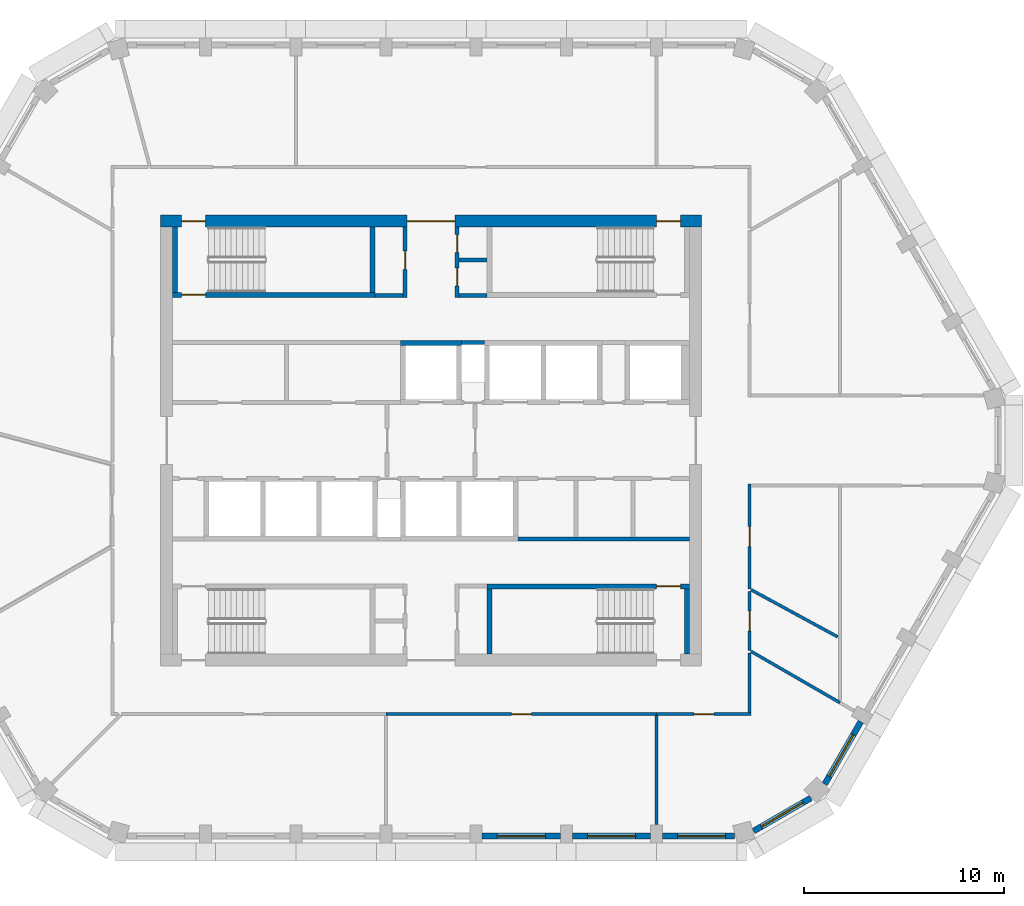
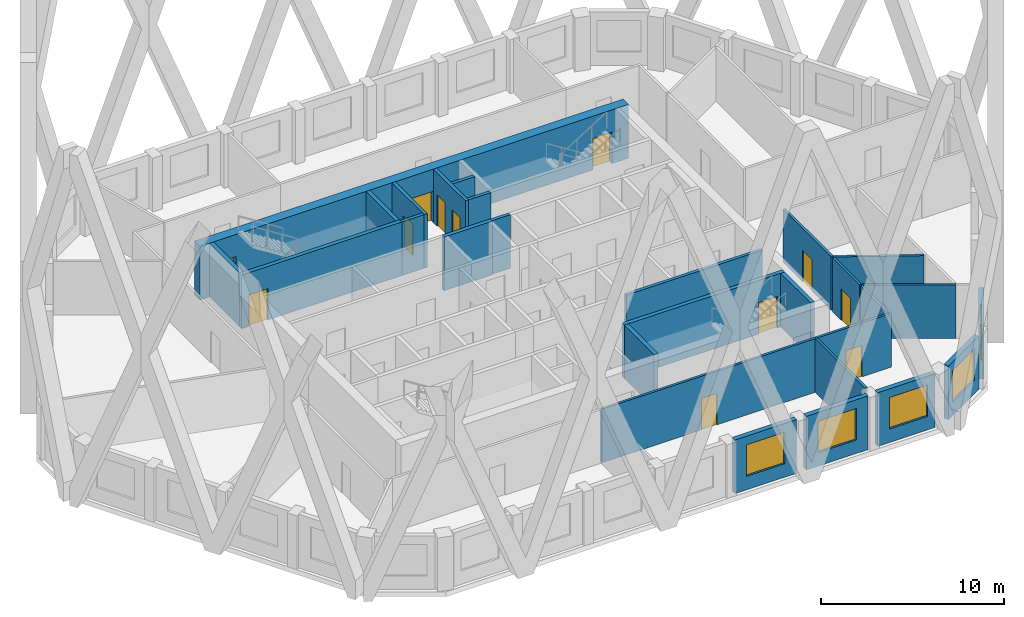
# One storey, part 4 of 14: 28 walls, 12 doors, 5 windows, 17 openings.
"""IFC4 building model written with IfcOpenShell, lengths in metres."""

from ifc_helpers import new_model, si_unit, direction, frame, frame_2d, origin, place, context, subcontext, project, spatial, polyline, rectangle, outline, extrude, material, layer, layer_set, type_object, element, fill, save


model = new_model("IFC4")

# Units and contexts
model_context = context("Model", 3, precision=1e-05, world=origin(), true_north=direction((0.0, 1.0)))
body_context = subcontext(model_context, "Body", "Model", "MODEL_VIEW")
ifc_project = project(units=[si_unit("LENGTHUNIT", "METRE"), si_unit("AREAUNIT", "SQUARE_METRE"), si_unit("VOLUMEUNIT", "CUBIC_METRE"), si_unit("PLANEANGLEUNIT", "RADIAN"), si_unit("MASSUNIT", "GRAM", prefix="KILO")], contexts=[model_context])

# Site, building, storey
site_placement = place(None, origin())
site = spatial("IfcSite", under=ifc_project, at=site_placement, CompositionType="ELEMENT")
building_placement = place(site_placement, origin())
building = spatial("IfcBuilding", under=site, at=building_placement, Name="Dhurran Vertical Campus", CompositionType="ELEMENT")
storey_placement = place(building_placement, frame((0.0, 0.0, 286.5)))
storey = spatial("IfcBuildingStorey", under=building, at=storey_placement, Name="L71", CompositionType="ELEMENT", Elevation=286.5)

# Wall, opening, window
ifc_material_1 = material(Name="Precast concrete C50/60", Category="concrete")
ifc_layer_1 = layer(ifc_material_1, 0.300048828125)
ifc_layer_set_1 = layer_set([ifc_layer_1], Name="Precast concrete C50/60")
wall_type_1 = type_object("IfcWallType", Name="Precast spandrel wall 300", PredefinedType="SOLIDWALL", material=ifc_layer_set_1)
wall_1_placement = place(storey_placement, frame((2.550537109375, -19.738525390625, 0.0), z_axis=(0.0, 0.0, 1.0), x_axis=(1.0, 0.0, 0.0)))
wall_1 = element("IfcWall", 1, at=wall_1_placement, inside=storey, type_object=wall_type_1, Name="EW1 L71.04", PredefinedType="SOLIDWALL", context=body_context, shape_type="SweptSolid", body=[
    extrude(rectangle(XDim=3.89892578125, YDim=0.300048828125, at=frame_2d((1.949462890625, 0.0))), origin(), (0.0, 0.0, 1.0), 3.574951171875),
])
opening_1_placement = place(wall_1_placement, frame((0.74951171875, 0.0, 0.89990234375)))
opening_1 = element("IfcOpeningElement", 2, at=opening_1_placement, cuts=wall_1, Name="Opening WT1", PredefinedType="OPENING", context=body_context, shape_type="SweptSolid", body=[
    extrude(rectangle(XDim=2.39990234375, YDim=2.10009765625, at=frame_2d((1.199951171875, 1.050048828125))), frame((0.0, 0.159912109375, 0.0), z_axis=(0.0, -1.0, 0.0), x_axis=(1.0, 0.0, 0.0)), (0.0, 0.0, 1.0), 0.320068359375),
])
ifc_material_2 = material(Name="Aluminium frame with solar-control glass", Category="aluminium")
window_type = type_object("IfcWindowType", Name="Punched window 2400 x 2100", PartitioningType="SINGLE_PANEL", PredefinedType="WINDOW", material=ifc_material_2)
window_1_placement = place(opening_1_placement, origin())
window_1 = element("IfcWindow", 3, at=window_1_placement, inside=storey, type_object=window_type, Name="WT1 L71.04", OverallHeight=2.10009765625, OverallWidth=2.39990234375, PartitioningType="SINGLE_PANEL", PredefinedType="WINDOW", context=body_context, shape_type="SweptSolid", body=[
    extrude(rectangle(XDim=2.39990234375, YDim=2.10009765625, at=frame_2d((1.199951171875, 1.050048828125))), frame((0.0, 0.030029296875, 0.0), z_axis=(0.0, -1.0, 0.0), x_axis=(1.0, 0.0, 0.0)), (0.0, 0.0, 1.0), 0.06005859375),
])
fill(opening_1, window_1)

wall_2_placement = place(storey_placement, frame((7.050537109375, -19.738525390625, 0.0), z_axis=(0.0, 0.0, 1.0), x_axis=(1.0, 0.0, 0.0)))
wall_2 = element("IfcWall", 4, at=wall_2_placement, inside=storey, type_object=wall_type_1, Name="EW1 L71.05", PredefinedType="SOLIDWALL", context=body_context, shape_type="SweptSolid", body=[
    extrude(rectangle(XDim=3.89892578125, YDim=0.300048828125, at=frame_2d((1.949462890625, 0.0))), origin(), (0.0, 0.0, 1.0), 3.574951171875),
])
opening_2_placement = place(wall_2_placement, frame((0.74951171875, 0.0, 0.89990234375)))
opening_2 = element("IfcOpeningElement", 5, at=opening_2_placement, cuts=wall_2, Name="Opening WT1", PredefinedType="OPENING", context=body_context, shape_type="SweptSolid", body=[
    extrude(rectangle(XDim=2.39990234375, YDim=2.10009765625, at=frame_2d((1.199951171875, 1.050048828125))), frame((0.0, 0.159912109375, 0.0), z_axis=(0.0, -1.0, 0.0), x_axis=(1.0, 0.0, 0.0)), (0.0, 0.0, 1.0), 0.320068359375),
])
window_2_placement = place(opening_2_placement, origin())
window_2 = element("IfcWindow", 6, at=window_2_placement, inside=storey, type_object=window_type, Name="WT1 L71.05", OverallHeight=2.10009765625, OverallWidth=2.39990234375, PartitioningType="SINGLE_PANEL", PredefinedType="WINDOW", context=body_context, shape_type="SweptSolid", body=[
    extrude(rectangle(XDim=2.39990234375, YDim=2.10009765625, at=frame_2d((1.199951171875, 1.050048828125))), frame((0.0, 0.030029296875, 0.0), z_axis=(0.0, -1.0, 0.0), x_axis=(1.0, 0.0, 0.0)), (0.0, 0.0, 1.0), 0.06005859375),
])
fill(opening_2, window_2)

wall_3_placement = place(storey_placement, frame((11.550537109375, -19.738525390625, 0.0), z_axis=(0.0, 0.0, 1.0), x_axis=(1.0, 0.0, 0.0)))
wall_3 = element("IfcWall", 7, at=wall_3_placement, inside=storey, type_object=wall_type_1, Name="EW1 L71.06", PredefinedType="SOLIDWALL", context=body_context, shape_type="SweptSolid", body=[
    extrude(rectangle(XDim=3.599365234375, YDim=0.300048828125, at=frame_2d((1.7998046875, 0.0))), origin(), (0.0, 0.0, 1.0), 3.574951171875),
])
opening_3_placement = place(wall_3_placement, frame((0.74951171875, 0.0, 0.89990234375)))
opening_3 = element("IfcOpeningElement", 8, at=opening_3_placement, cuts=wall_3, Name="Opening WT1", PredefinedType="OPENING", context=body_context, shape_type="SweptSolid", body=[
    extrude(rectangle(XDim=2.39990234375, YDim=2.10009765625, at=frame_2d((1.199951171875, 1.050048828125))), frame((0.0, 0.159912109375, 0.0), z_axis=(0.0, -1.0, 0.0), x_axis=(1.0, 0.0, 0.0)), (0.0, 0.0, 1.0), 0.320068359375),
])
window_3_placement = place(opening_3_placement, origin())
window_3 = element("IfcWindow", 9, at=window_3_placement, inside=storey, type_object=window_type, Name="WT1 L71.06", OverallHeight=2.10009765625, OverallWidth=2.39990234375, PartitioningType="SINGLE_PANEL", PredefinedType="WINDOW", context=body_context, shape_type="SweptSolid", body=[
    extrude(rectangle(XDim=2.39990234375, YDim=2.10009765625, at=frame_2d((1.199951171875, 1.050048828125))), frame((0.0, 0.030029296875, 0.0), z_axis=(0.0, -1.0, 0.0), x_axis=(1.0, 0.0, 0.0)), (0.0, 0.0, 1.0), 0.06005859375),
])
fill(opening_3, window_3)

wall_4_placement = place(storey_placement, frame((16.0947265625, -19.4853515625, 0.0), z_axis=(0.0, 0.0, 1.0), x_axis=(0.866021716278, 0.500006386895, 0.0)))
wall_4 = element("IfcWall", 10, at=wall_4_placement, inside=storey, type_object=wall_type_1, Name="EW1 L71.07", PredefinedType="SOLIDWALL", context=body_context, shape_type="SweptSolid", body=[
    extrude(rectangle(XDim=3.2998046875, YDim=0.300048828125, at=frame_2d((1.64990234375, 0.0))), origin(), (0.0, 0.0, 1.0), 3.574951171875),
])
opening_4_placement = place(wall_4_placement, frame((0.449951171875, 0.0, 0.89990234375)))
opening_4 = element("IfcOpeningElement", 11, at=opening_4_placement, cuts=wall_4, Name="Opening WT1", PredefinedType="OPENING", context=body_context, shape_type="SweptSolid", body=[
    extrude(rectangle(XDim=2.39990234375, YDim=2.10009765625, at=frame_2d((1.199951171875, 1.050048828125))), frame((0.0, 0.159912109375, 0.0), z_axis=(0.0, -1.0, 0.0), x_axis=(1.0, 0.0, 0.0)), (0.0, 0.0, 1.0), 0.320068359375),
])
window_4_placement = place(opening_4_placement, origin())
window_4 = element("IfcWindow", 12, at=window_4_placement, inside=storey, type_object=window_type, Name="WT1 L71.07", OverallHeight=2.10009765625, OverallWidth=2.39990234375, PartitioningType="SINGLE_PANEL", PredefinedType="WINDOW", context=body_context, shape_type="SweptSolid", body=[
    extrude(rectangle(XDim=2.39990234375, YDim=2.10009765625, at=frame_2d((1.199951171875, 1.050048828125))), frame((0.0, 0.030029296875, 0.0), z_axis=(0.0, -1.0, 0.0), x_axis=(1.0, 0.0, 0.0)), (0.0, 0.0, 1.0), 0.06005859375),
])
fill(opening_4, window_4)

wall_5_placement = place(storey_placement, frame((19.64404296875, -17.143798828125, 0.0), z_axis=(0.0, 0.0, 1.0), x_axis=(0.50001992892, 0.866013897511, 0.0)))
wall_5 = element("IfcWall", 13, at=wall_5_placement, inside=storey, type_object=wall_type_1, Name="EW1 L71.08", PredefinedType="SOLIDWALL", context=body_context, shape_type="SweptSolid", body=[
    extrude(rectangle(XDim=3.599365234375, YDim=0.300048828125, at=frame_2d((1.7998046875, 0.0))), origin(), (0.0, 0.0, 1.0), 3.574951171875),
])
opening_5_placement = place(wall_5_placement, frame((0.449951171875, 0.0, 0.89990234375)))
opening_5 = element("IfcOpeningElement", 14, at=opening_5_placement, cuts=wall_5, Name="Opening WT1", PredefinedType="OPENING", context=body_context, shape_type="SweptSolid", body=[
    extrude(rectangle(XDim=2.39990234375, YDim=2.10009765625, at=frame_2d((1.199951171875, 1.050048828125))), frame((0.0, 0.159912109375, 0.0), z_axis=(0.0, -1.0, 0.0), x_axis=(1.0, 0.0, 0.0)), (0.0, 0.0, 1.0), 0.320068359375),
])
window_5_placement = place(opening_5_placement, origin())
window_5 = element("IfcWindow", 15, at=window_5_placement, inside=storey, type_object=window_type, Name="WT1 L71.08", OverallHeight=2.10009765625, OverallWidth=2.39990234375, PartitioningType="SINGLE_PANEL", PredefinedType="WINDOW", context=body_context, shape_type="SweptSolid", body=[
    extrude(rectangle(XDim=2.39990234375, YDim=2.10009765625, at=frame_2d((1.199951171875, 1.050048828125))), frame((0.0, 0.030029296875, 0.0), z_axis=(0.0, -1.0, 0.0), x_axis=(1.0, 0.0, 0.0)), (0.0, 0.0, 1.0), 0.06005859375),
])
fill(opening_5, window_5)

# Wall, openings, doors
ifc_material_3 = material(Name="Concrete C50/60", Category="concrete")
ifc_layer_2 = layer(ifc_material_3, 0.60009765625)
ifc_layer_set_2 = layer_set([ifc_layer_2], Name="Concrete C50/60")
wall_type_2 = type_object("IfcWallType", Name="co-CORE-WALL-C2-600", PredefinedType="SHEAR", material=ifc_layer_set_2)
wall_6_placement = place(storey_placement, frame((-13.5, 10.949951171875, 0.0), z_axis=(0.0, 0.0, 1.0), x_axis=(1.0, 0.0, 0.0)))
wall_6 = element("IfcWall", 16, at=wall_6_placement, inside=storey, type_object=wall_type_2, Name="Core wall N L71", PredefinedType="SHEAR", context=body_context, shape_type="SweptSolid", body=[
    extrude(rectangle(XDim=27.0, YDim=0.60009765625, at=frame_2d((13.5, 0.0))), origin(), (0.0, 0.0, 1.0), 3.574951171875),
])
opening_6_placement = place(wall_6_placement, frame((12.300048828125, 0.0, 0.0)))
opening_6 = element("IfcOpeningElement", 17, at=opening_6_placement, cuts=wall_6, Name="Opening CV1", PredefinedType="OPENING", context=body_context, shape_type="SweptSolid", body=[
    extrude(rectangle(XDim=2.39990234375, YDim=2.10009765625, at=frame_2d((1.199951171875, 1.050048828125))), frame((0.0, 0.31005859375, 0.0), z_axis=(0.0, -1.0, 0.0), x_axis=(1.0, 0.0, 0.0)), (0.0, 0.0, 1.0), 0.6201171875),
])
opening_7_placement = place(wall_6_placement, frame((1.050048828125, 0.0, 0.0)))
opening_7 = element("IfcOpeningElement", 18, at=opening_7_placement, cuts=wall_6, Name="Opening XD1", PredefinedType="OPENING", context=body_context, shape_type="SweptSolid", body=[
    extrude(rectangle(XDim=1.199951171875, YDim=2.10009765625, at=frame_2d((0.60009765625, 1.050048828125))), frame((0.0, 0.31005859375, 0.0), z_axis=(0.0, -1.0, 0.0), x_axis=(1.0, 0.0, 0.0)), (0.0, 0.0, 1.0), 0.6201171875),
])
opening_8_placement = place(wall_6_placement, frame((24.75, 0.0, 0.0)))
opening_8 = element("IfcOpeningElement", 19, at=opening_8_placement, cuts=wall_6, Name="Opening XD2", PredefinedType="OPENING", context=body_context, shape_type="SweptSolid", body=[
    extrude(rectangle(XDim=1.199951171875, YDim=2.10009765625, at=frame_2d((0.60009765625, 1.050048828125))), frame((0.0, 0.31005859375, 0.0), z_axis=(0.0, -1.0, 0.0), x_axis=(1.0, 0.0, 0.0)), (0.0, 0.0, 1.0), 0.6201171875),
])
ifc_material_4 = material(Name="Fire-rated glazed door set")
door_type_1 = type_object("IfcDoorType", Name="co-D-LOBBY 2400x2100", OperationType="DOUBLE_DOOR_DOUBLE_SWING", PredefinedType="DOOR", material=ifc_material_4)
door_1_placement = place(opening_6_placement, origin())
door_1 = element("IfcDoor", 20, at=door_1_placement, inside=storey, type_object=door_type_1, Name="Core vestibule door N L71", OperationType="DOUBLE_DOOR_DOUBLE_SWING", OverallHeight=2.10009765625, OverallWidth=2.39990234375, PredefinedType="DOOR", context=body_context, shape_type="SweptSolid", body=[
    extrude(rectangle(XDim=2.39990234375, YDim=2.10009765625, at=frame_2d((1.199951171875, 1.050048828125))), frame((0.0, 0.02490234375, 0.0), z_axis=(0.0, -1.0, 0.0), x_axis=(1.0, 0.0, 0.0)), (0.0, 0.0, 1.0), 0.050048828125),
])
fill(opening_6, door_1)
ifc_material_5 = material(Name="Fire-rated steel door set", Category="steel")
door_type_2 = type_object("IfcDoorType", Name="co-D-STAIR-EXIT 1200x2100", OperationType="SINGLE_SWING_RIGHT", PredefinedType="DOOR", material=ifc_material_5)
door_2_placement = place(opening_7_placement, origin())
door_2 = element("IfcDoor", 21, at=door_2_placement, inside=storey, type_object=door_type_2, Name="Stair ST1 exit door L71", OperationType="SINGLE_SWING_RIGHT", OverallHeight=2.10009765625, OverallWidth=1.199951171875, PredefinedType="DOOR", context=body_context, shape_type="SweptSolid", body=[
    extrude(rectangle(XDim=1.199951171875, YDim=2.10009765625, at=frame_2d((0.60009765625, 1.050048828125))), frame((0.0, 0.02490234375, 0.0), z_axis=(0.0, -1.0, 0.0), x_axis=(1.0, 0.0, 0.0)), (0.0, 0.0, 1.0), 0.050048828125),
])
fill(opening_7, door_2)
door_3_placement = place(opening_8_placement, origin())
door_3 = element("IfcDoor", 22, at=door_3_placement, inside=storey, type_object=door_type_2, Name="Stair ST2 exit door L71", OperationType="SINGLE_SWING_RIGHT", OverallHeight=2.10009765625, OverallWidth=1.199951171875, PredefinedType="DOOR", context=body_context, shape_type="SweptSolid", body=[
    extrude(rectangle(XDim=1.199951171875, YDim=2.10009765625, at=frame_2d((0.60009765625, 1.050048828125))), frame((0.0, 0.02490234375, 0.0), z_axis=(0.0, -1.0, 0.0), x_axis=(1.0, 0.0, 0.0)), (0.0, 0.0, 1.0), 0.050048828125),
])
fill(opening_8, door_3)

# Walls
ifc_material_6 = material(Name="Fire-rated masonry blockwork", Category="masonry")
ifc_layer_3 = layer(ifc_material_6, 0.199951171875)
ifc_layer_set_3 = layer_set([ifc_layer_3], Name="Fire-rated masonry blockwork")
wall_type_3 = type_object("IfcWallType", Name="co-FIRE-PARTITION-200", PredefinedType="PARTITIONING", material=ifc_layer_set_3)
for number, where, z_axis, x_axis, name in (
    (23, (-2.800048828125, 7.25, 0.0), (0.0, 0.0, 1.0), (1.0, 0.0, 0.0), "Core partition sl-NW-S L71"),
    (24, (1.39990234375, 7.25, 0.0), (0.0, 0.0, 1.0), (1.0, 0.0, 0.0), "Core partition sl-NE-S L71"),
    (25, (1.39990234375, 9.0, 0.0), (0.0, 0.0, 1.0), (1.0, 0.0, 0.0), "Core partition sl-NE-cut0 L71"),
):
    element("IfcWall", number, at=place(storey_placement, frame(where, z_axis=z_axis, x_axis=x_axis)), inside=storey, type_object=wall_type_3, Name=name, PredefinedType="PARTITIONING", context=body_context, shape_type="SweptSolid", body=[
        extrude(rectangle(XDim=1.400146484375, YDim=0.199951171875, at=frame_2d((0.7001953125, 0.0))), origin(), (0.0, 0.0, 1.0), 3.574951171875),
    ])

# Wall, opening, door
wall_7_placement = place(storey_placement, frame((-1.300048828125, 7.14990234375, 0.0), z_axis=(0.0, 0.0, 1.0), x_axis=(0.0, 1.0, 0.0)))
wall_7 = element("IfcWall", 26, at=wall_7_placement, inside=storey, type_object=wall_type_3, Name="Core partition vest-NW L71", PredefinedType="PARTITIONING", context=body_context, shape_type="SweptSolid", body=[
    extrude(rectangle(XDim=3.5, YDim=0.199951171875, at=frame_2d((1.75, 0.0))), origin(), (0.0, 0.0, 1.0), 3.574951171875),
])
opening_9_placement = place(wall_7_placement, frame((1.39990234375, 0.0, 0.0)))
opening_9 = element("IfcOpeningElement", 27, at=opening_9_placement, cuts=wall_7, Name="Opening T21-C4", PredefinedType="OPENING", context=body_context, shape_type="SweptSolid", body=[
    extrude(rectangle(XDim=0.89990234375, YDim=2.10009765625, at=frame_2d((0.449951171875, 1.050048828125))), frame((0.0, 0.10986328125, 0.0), z_axis=(0.0, -1.0, 0.0), x_axis=(1.0, 0.0, 0.0)), (0.0, 0.0, 1.0), 0.219970703125),
])
ifc_material_7 = material(Name="Fire-rated timber door set", Category="wood")
door_type_3 = type_object("IfcDoorType", Name="co-D-ROOM 900x2100", OperationType="SINGLE_SWING_LEFT", PredefinedType="DOOR", material=ifc_material_7)
door_4_placement = place(opening_9_placement, origin())
door_4 = element("IfcDoor", 28, at=door_4_placement, inside=storey, type_object=door_type_3, Name="Plant room door L71", OperationType="SINGLE_SWING_LEFT", OverallHeight=2.10009765625, OverallWidth=0.89990234375, PredefinedType="DOOR", context=body_context, shape_type="SweptSolid", body=[
    extrude(rectangle(XDim=0.89990234375, YDim=2.10009765625, at=frame_2d((0.449951171875, 1.050048828125))), frame((0.0, 0.02490234375, 0.0), z_axis=(0.0, -1.0, 0.0), x_axis=(1.0, 0.0, 0.0)), (0.0, 0.0, 1.0), 0.050048828125),
])
fill(opening_9, door_4)

# Wall, openings, doors
wall_8_placement = place(storey_placement, frame((1.300048828125, 7.14990234375, 0.0), z_axis=(0.0, 0.0, 1.0), x_axis=(0.0, 1.0, 0.0)))
wall_8 = element("IfcWall", 29, at=wall_8_placement, inside=storey, type_object=wall_type_3, Name="Core partition vest-NE L71", PredefinedType="PARTITIONING", context=body_context, shape_type="SweptSolid", body=[
    extrude(rectangle(XDim=3.5, YDim=0.199951171875, at=frame_2d((1.75, 0.0))), origin(), (0.0, 0.0, 1.0), 3.574951171875),
])
opening_10_placement = place(wall_8_placement, frame((0.574951171875, 0.0, 0.0)))
opening_10 = element("IfcOpeningElement", 30, at=opening_10_placement, cuts=wall_8, Name="Opening T21-C5", PredefinedType="OPENING", context=body_context, shape_type="SweptSolid", body=[
    extrude(rectangle(XDim=0.89990234375, YDim=2.10009765625, at=frame_2d((0.449951171875, 1.050048828125))), frame((0.0, 0.10986328125, 0.0), z_axis=(0.0, -1.0, 0.0), x_axis=(1.0, 0.0, 0.0)), (0.0, 0.0, 1.0), 0.219970703125),
])
opening_11_placement = place(wall_8_placement, frame((2.22509765625, 0.0, 0.0)))
opening_11 = element("IfcOpeningElement", 31, at=opening_11_placement, cuts=wall_8, Name="Opening T21-C6", PredefinedType="OPENING", context=body_context, shape_type="SweptSolid", body=[
    extrude(rectangle(XDim=0.89990234375, YDim=2.10009765625, at=frame_2d((0.449951171875, 1.050048828125))), frame((0.0, 0.10986328125, 0.0), z_axis=(0.0, -1.0, 0.0), x_axis=(1.0, 0.0, 0.0)), (0.0, 0.0, 1.0), 0.219970703125),
])
door_5_placement = place(opening_10_placement, origin())
door_5 = element("IfcDoor", 32, at=door_5_placement, inside=storey, type_object=door_type_3, Name="Communications room door L71", OperationType="SINGLE_SWING_LEFT", OverallHeight=2.10009765625, OverallWidth=0.89990234375, PredefinedType="DOOR", context=body_context, shape_type="SweptSolid", body=[
    extrude(rectangle(XDim=0.89990234375, YDim=2.10009765625, at=frame_2d((0.449951171875, 1.050048828125))), frame((0.0, 0.02490234375, 0.0), z_axis=(0.0, -1.0, 0.0), x_axis=(1.0, 0.0, 0.0)), (0.0, 0.0, 1.0), 0.050048828125),
])
fill(opening_10, door_5)
door_6_placement = place(opening_11_placement, origin())
door_6 = element("IfcDoor", 33, at=door_6_placement, inside=storey, type_object=door_type_3, Name="Server room door L71", OperationType="SINGLE_SWING_LEFT", OverallHeight=2.10009765625, OverallWidth=0.89990234375, PredefinedType="DOOR", context=body_context, shape_type="SweptSolid", body=[
    extrude(rectangle(XDim=0.89990234375, YDim=2.10009765625, at=frame_2d((0.449951171875, 1.050048828125))), frame((0.0, 0.02490234375, 0.0), z_axis=(0.0, -1.0, 0.0), x_axis=(1.0, 0.0, 0.0)), (0.0, 0.0, 1.0), 0.050048828125),
])
fill(opening_11, door_6)

# Walls
wall_9_placement = place(storey_placement, frame((1.52490234375, 4.89990234375, 0.0), z_axis=(0.0, 0.0, 1.0), x_axis=(1.0, 0.0, 0.0)))
element("IfcWall", 34, at=wall_9_placement, inside=storey, type_object=wall_type_3, Name="Core partition fr-N1-b L71", PredefinedType="PARTITIONING", context=body_context, shape_type="SweptSolid", body=[
    extrude(rectangle(XDim=1.150146484375, YDim=0.199951171875, at=frame_2d((0.5751953125, 0.0))), origin(), (0.0, 0.0, 1.0), 3.574951171875),
])
wall_10_placement = place(storey_placement, frame((4.324951171875, -4.89990234375, 0.0), z_axis=(0.0, 0.0, 1.0), x_axis=(1.0, 0.0, 0.0)))
element("IfcWall", 35, at=wall_10_placement, inside=storey, type_object=wall_type_3, Name="Core partition fr-S2-b L71", PredefinedType="PARTITIONING", context=body_context, shape_type="SweptSolid", body=[
    extrude(rectangle(XDim=8.574951171875, YDim=0.199951171875, at=frame_2d((4.28759765625, 0.0))), origin(), (0.0, 0.0, 1.0), 3.574951171875),
])
ifc_material_8 = material(Name="Concrete C50/60", Category="concrete")
ifc_layer_4 = layer(ifc_material_8, 0.25)
ifc_layer_set_4 = layer_set([ifc_layer_4], Name="Concrete C50/60")
wall_type_4 = type_object("IfcWallType", Name="co-SHAFT-MASS-250", PredefinedType="SHEAR", material=ifc_layer_set_4)
wall_11_placement = place(storey_placement, origin())
element("IfcWall", 36, at=wall_11_placement, inside=storey, type_object=wall_type_4, Name="Lift shaft wall N L71 1", PredefinedType="SHEAR", context=body_context, shape_type="SweptSolid", body=[
    extrude(outline(polyline([(-1.52490234375, 4.75), (1.52490234375, 4.75), (1.52490234375, 5.0), (-1.52490234375, 5.0), (-1.52490234375, 4.75)])), origin(), (0.0, 0.0, 1.0), 3.574951171875),
])

# Wall, opening, door
ifc_material_9 = material(Name="Concrete C40/50", Category="concrete")
ifc_layer_5 = layer(ifc_material_9, 0.25)
ifc_layer_set_5 = layer_set([ifc_layer_5], Name="Concrete C40/50")
wall_type_5 = type_object("IfcWallType", Name="co-STAIR-WALL-250", PredefinedType="SHEAR", material=ifc_layer_set_5)
wall_12_placement = place(storey_placement, frame((-12.89990234375, 7.27490234375, 0.0), z_axis=(0.0, 0.0, 1.0), x_axis=(1.0, 0.0, 0.0)))
wall_12 = element("IfcWall", 37, at=wall_12_placement, inside=storey, type_object=wall_type_5, Name="Stair ST1 enclosure wall L71", PredefinedType="SHEAR", context=body_context, shape_type="SweptSolid", body=[
    extrude(rectangle(XDim=10.099853515625, YDim=0.25, at=frame_2d((5.0498046875, 0.0))), origin(), (0.0, 0.0, 1.0), 3.574951171875),
])
opening_12_placement = place(wall_12_placement, frame((0.449951171875, 0.0, 0.0)))
opening_12 = element("IfcOpeningElement", 38, at=opening_12_placement, cuts=wall_12, Name="Opening SD1", PredefinedType="OPENING", context=body_context, shape_type="SweptSolid", body=[
    extrude(rectangle(XDim=1.199951171875, YDim=2.10009765625, at=frame_2d((0.60009765625, 1.050048828125))), frame((0.0, 0.135009765625, 0.0), z_axis=(0.0, -1.0, 0.0), x_axis=(1.0, 0.0, 0.0)), (0.0, 0.0, 1.0), 0.27001953125),
])
ifc_material_10 = material(Name="Fire-rated steel door set", Category="steel")
door_type_4 = type_object("IfcDoorType", Name="co-D-STAIR 1200x2100", OperationType="SINGLE_SWING_LEFT", PredefinedType="DOOR", material=ifc_material_10)
door_7_placement = place(opening_12_placement, origin())
door_7 = element("IfcDoor", 39, at=door_7_placement, inside=storey, type_object=door_type_4, Name="Stair ST1 door L71", OperationType="SINGLE_SWING_LEFT", OverallHeight=2.10009765625, OverallWidth=1.199951171875, PredefinedType="DOOR", context=body_context, shape_type="SweptSolid", body=[
    extrude(rectangle(XDim=1.199951171875, YDim=2.10009765625, at=frame_2d((0.60009765625, 1.050048828125))), frame((0.0, 0.02490234375, 0.0), z_axis=(0.0, -1.0, 0.0), x_axis=(1.0, 0.0, 0.0)), (0.0, 0.0, 1.0), 0.050048828125),
])
fill(opening_12, door_7)

# Walls
for number, where, z_axis, x_axis, name in (
    (40, (-12.77490234375, 7.39990234375, 0.0), (0.0, 0.0, 1.0), (0.0, 1.0, 0.0), "Stair ST1 enclosure wall L71"),
    (41, (-2.925048828125, 7.39990234375, 0.0), (0.0, 0.0, 1.0), (0.0, 1.0, 0.0), "Stair ST1 enclosure wall L71"),
):
    element("IfcWall", number, at=place(storey_placement, frame(where, z_axis=z_axis, x_axis=x_axis)), inside=storey, type_object=wall_type_5, Name=name, PredefinedType="SHEAR", context=body_context, shape_type="SweptSolid", body=[
        extrude(rectangle(XDim=3.25, YDim=0.25, at=frame_2d((1.625, 0.0))), origin(), (0.0, 0.0, 1.0), 3.574951171875),
    ])

# Wall, opening, door
wall_13_placement = place(storey_placement, frame((2.800048828125, -7.27490234375, 0.0), z_axis=(0.0, 0.0, 1.0), x_axis=(1.0, 0.0, 0.0)))
wall_13 = element("IfcWall", 42, at=wall_13_placement, inside=storey, type_object=wall_type_5, Name="Stair ST4 enclosure wall L71", PredefinedType="SHEAR", context=body_context, shape_type="SweptSolid", body=[
    extrude(rectangle(XDim=10.099853515625, YDim=0.25, at=frame_2d((5.0498046875, 0.0))), origin(), (0.0, 0.0, 1.0), 3.574951171875),
])
opening_13_placement = place(wall_13_placement, frame((8.449951171875, 0.0, 0.0)))
opening_13 = element("IfcOpeningElement", 43, at=opening_13_placement, cuts=wall_13, Name="Opening SD4", PredefinedType="OPENING", context=body_context, shape_type="SweptSolid", body=[
    extrude(rectangle(XDim=1.199951171875, YDim=2.10009765625, at=frame_2d((0.60009765625, 1.050048828125))), frame((0.0, 0.135009765625, 0.0), z_axis=(0.0, -1.0, 0.0), x_axis=(1.0, 0.0, 0.0)), (0.0, 0.0, 1.0), 0.27001953125),
])
door_8_placement = place(opening_13_placement, origin())
door_8 = element("IfcDoor", 44, at=door_8_placement, inside=storey, type_object=door_type_4, Name="Stair ST4 door L71", OperationType="SINGLE_SWING_LEFT", OverallHeight=2.10009765625, OverallWidth=1.199951171875, PredefinedType="DOOR", context=body_context, shape_type="SweptSolid", body=[
    extrude(rectangle(XDim=1.199951171875, YDim=2.10009765625, at=frame_2d((0.60009765625, 1.050048828125))), frame((0.0, 0.02490234375, 0.0), z_axis=(0.0, -1.0, 0.0), x_axis=(1.0, 0.0, 0.0)), (0.0, 0.0, 1.0), 0.050048828125),
])
fill(opening_13, door_8)

# Walls
for number, where, z_axis, x_axis, name in (
    (45, (2.925048828125, -10.64990234375, 0.0), (0.0, 0.0, 1.0), (0.0, 1.0, 0.0), "Stair ST4 enclosure wall L71"),
    (46, (12.77490234375, -10.64990234375, 0.0), (0.0, 0.0, 1.0), (0.0, 1.0, 0.0), "Stair ST4 enclosure wall L71"),
):
    element("IfcWall", number, at=place(storey_placement, frame(where, z_axis=z_axis, x_axis=x_axis)), inside=storey, type_object=wall_type_5, Name=name, PredefinedType="SHEAR", context=body_context, shape_type="SweptSolid", body=[
        extrude(rectangle(XDim=3.25, YDim=0.25, at=frame_2d((1.625, 0.0))), origin(), (0.0, 0.0, 1.0), 3.574951171875),
    ])

# Wall, opening, door
ifc_material_11 = material(Name="Gypsum board corridor wall on steel studs", Category="steel")
ifc_layer_6 = layer(ifc_material_11, 0.14990234375)
ifc_layer_set_6 = layer_set([ifc_layer_6], Name="Gypsum board corridor wall on steel studs")
wall_type_6 = type_object("IfcWallType", Name="fl-CW-150 corridor wall", PredefinedType="PARTITIONING", material=ifc_layer_set_6)
wall_14_placement = place(storey_placement, frame((-2.25, -13.64990234375, 0.0), z_axis=(0.0, 0.0, 1.0), x_axis=(1.0, 0.0, 0.0)))
wall_14 = element("IfcWall", 47, at=wall_14_placement, inside=storey, type_object=wall_type_6, Name="Partition 71-17", PredefinedType="PARTITIONING", context=body_context, shape_type="SweptSolid", body=[
    extrude(rectangle(XDim=13.5, YDim=0.14990234375, at=frame_2d((6.75, 0.0))), origin(), (0.0, 0.0, 1.0), 3.574951171875),
])
opening_14_placement = place(wall_14_placement, frame((6.25, 0.0, 0.0)))
opening_14 = element("IfcOpeningElement", 48, at=opening_14_placement, cuts=wall_14, Name="Opening T21.08", PredefinedType="OPENING", context=body_context, shape_type="SweptSolid", body=[
    extrude(rectangle(XDim=1.0, YDim=2.10009765625, at=frame_2d((0.5, 1.050048828125))), frame((0.0, 0.0849609375, 0.0), z_axis=(0.0, -1.0, 0.0), x_axis=(1.0, 0.0, 0.0)), (0.0, 0.0, 1.0), 0.169921875),
])
ifc_material_12 = material(Name="Solid-core timber door set, fire-rated", Category="wood")
door_type_5 = type_object("IfcDoorType", Name="fl-D-1000x2100", OperationType="SINGLE_SWING_LEFT", PredefinedType="DOOR", material=ifc_material_12)
door_9_placement = place(opening_14_placement, origin())
door_9 = element("IfcDoor", 49, at=door_9_placement, inside=storey, type_object=door_type_5, Name="Door 71.08", OperationType="SINGLE_SWING_RIGHT", OverallHeight=2.10009765625, OverallWidth=1.0, PredefinedType="DOOR", context=body_context, shape_type="SweptSolid", body=[
    extrude(rectangle(XDim=1.0, YDim=2.10009765625, at=frame_2d((0.5, 1.050048828125))), frame((0.0, 0.02490234375, 0.0), z_axis=(0.0, -1.0, 0.0), x_axis=(1.0, 0.0, 0.0)), (0.0, 0.0, 1.0), 0.050048828125),
])
fill(opening_14, door_9)

wall_15_placement = place(storey_placement, frame((11.25, -13.64990234375, 0.0), z_axis=(0.0, 0.0, 1.0), x_axis=(1.0, 0.0, 0.0)))
wall_15 = element("IfcWall", 50, at=wall_15_placement, inside=storey, type_object=wall_type_6, Name="Partition 71-19", PredefinedType="PARTITIONING", context=body_context, shape_type="SweptSolid", body=[
    extrude(rectangle(XDim=4.72509765625, YDim=0.14990234375, at=frame_2d((2.362548828125, 0.0))), origin(), (0.0, 0.0, 1.0), 3.574951171875),
])
opening_15_placement = place(wall_15_placement, frame((1.862548828125, 0.0, 0.0)))
opening_15 = element("IfcOpeningElement", 51, at=opening_15_placement, cuts=wall_15, Name="Opening T21.09", PredefinedType="OPENING", context=body_context, shape_type="SweptSolid", body=[
    extrude(rectangle(XDim=1.0, YDim=2.10009765625, at=frame_2d((0.5, 1.050048828125))), frame((0.0, 0.0849609375, 0.0), z_axis=(0.0, -1.0, 0.0), x_axis=(1.0, 0.0, 0.0)), (0.0, 0.0, 1.0), 0.169921875),
])
door_10_placement = place(opening_15_placement, origin())
door_10 = element("IfcDoor", 52, at=door_10_placement, inside=storey, type_object=door_type_5, Name="Door 71.09", OperationType="SINGLE_SWING_LEFT", OverallHeight=2.10009765625, OverallWidth=1.0, PredefinedType="DOOR", context=body_context, shape_type="SweptSolid", body=[
    extrude(rectangle(XDim=1.0, YDim=2.10009765625, at=frame_2d((0.5, 1.050048828125))), frame((0.0, 0.02490234375, 0.0), z_axis=(0.0, -1.0, 0.0), x_axis=(1.0, 0.0, 0.0)), (0.0, 0.0, 1.0), 0.050048828125),
])
fill(opening_15, door_10)

# Wall
wall_16_placement = place(storey_placement, frame((15.89990234375, -13.574951171875, 0.0), z_axis=(0.0, 0.0, 1.0), x_axis=(0.0, 1.0, 0.0)))
element("IfcWall", 53, at=wall_16_placement, inside=storey, type_object=wall_type_6, Name="Partition 71-22", PredefinedType="PARTITIONING", context=body_context, shape_type="SweptSolid", body=[
    extrude(rectangle(XDim=2.966064453125, YDim=0.14990234375, at=frame_2d((1.48291015625, 0.0))), origin(), (0.0, 0.0, 1.0), 3.574951171875),
])

# Wall, opening, door
wall_17_placement = place(storey_placement, frame((15.89990234375, -10.47900390625, 0.0), z_axis=(0.0, 0.0, 1.0), x_axis=(0.0, 1.0, 0.0)))
wall_17 = element("IfcWall", 54, at=wall_17_placement, inside=storey, type_object=wall_type_6, Name="Partition 71-23", PredefinedType="PARTITIONING", context=body_context, shape_type="SweptSolid", body=[
    extrude(rectangle(XDim=2.947998046875, YDim=0.14990234375, at=frame_2d((1.47412109375, 0.0))), origin(), (0.0, 0.0, 1.0), 3.574951171875),
])
opening_16_placement = place(wall_17_placement, frame((0.97412109375, 0.0, 0.0)))
opening_16 = element("IfcOpeningElement", 55, at=opening_16_placement, cuts=wall_17, Name="Opening T21.11", PredefinedType="OPENING", context=body_context, shape_type="SweptSolid", body=[
    extrude(rectangle(XDim=1.0, YDim=2.10009765625, at=frame_2d((0.5, 1.050048828125))), frame((0.0, 0.0849609375, 0.0), z_axis=(0.0, -1.0, 0.0), x_axis=(1.0, 0.0, 0.0)), (0.0, 0.0, 1.0), 0.169921875),
])
door_11_placement = place(opening_16_placement, origin())
door_11 = element("IfcDoor", 56, at=door_11_placement, inside=storey, type_object=door_type_5, Name="Door 71.11", OperationType="SINGLE_SWING_LEFT", OverallHeight=2.10009765625, OverallWidth=1.0, PredefinedType="DOOR", context=body_context, shape_type="SweptSolid", body=[
    extrude(rectangle(XDim=1.0, YDim=2.10009765625, at=frame_2d((0.5, 1.050048828125))), frame((0.0, 0.02490234375, 0.0), z_axis=(0.0, -1.0, 0.0), x_axis=(1.0, 0.0, 0.0)), (0.0, 0.0, 1.0), 0.050048828125),
])
fill(opening_16, door_11)

wall_18_placement = place(storey_placement, frame((15.89990234375, -7.406005859375, 0.0), z_axis=(0.0, 0.0, 1.0), x_axis=(0.0, 1.0, 0.0)))
wall_18 = element("IfcWall", 57, at=wall_18_placement, inside=storey, type_object=wall_type_6, Name="Partition 71-25", PredefinedType="PARTITIONING", context=body_context, shape_type="SweptSolid", body=[
    extrude(rectangle(XDim=5.23095703125, YDim=0.14990234375, at=frame_2d((2.615478515625, 0.0))), origin(), (0.0, 0.0, 1.0), 3.574951171875),
])
opening_17_placement = place(wall_18_placement, frame((2.115478515625, 0.0, 0.0)))
opening_17 = element("IfcOpeningElement", 58, at=opening_17_placement, cuts=wall_18, Name="Opening T21.13", PredefinedType="OPENING", context=body_context, shape_type="SweptSolid", body=[
    extrude(rectangle(XDim=1.0, YDim=2.10009765625, at=frame_2d((0.5, 1.050048828125))), frame((0.0, 0.0849609375, 0.0), z_axis=(0.0, -1.0, 0.0), x_axis=(1.0, 0.0, 0.0)), (0.0, 0.0, 1.0), 0.169921875),
])
door_12_placement = place(opening_17_placement, origin())
door_12 = element("IfcDoor", 59, at=door_12_placement, inside=storey, type_object=door_type_5, Name="Door 71.13", OperationType="SINGLE_SWING_RIGHT", OverallHeight=2.10009765625, OverallWidth=1.0, PredefinedType="DOOR", context=body_context, shape_type="SweptSolid", body=[
    extrude(rectangle(XDim=1.0, YDim=2.10009765625, at=frame_2d((0.5, 1.050048828125))), frame((0.0, 0.02490234375, 0.0), z_axis=(0.0, -1.0, 0.0), x_axis=(1.0, 0.0, 0.0)), (0.0, 0.0, 1.0), 0.050048828125),
])
fill(opening_17, door_12)

# Walls
ifc_material_13 = material(Name="Gypsum board partition on steel studs", Category="steel")
ifc_layer_7 = layer(ifc_material_13, 0.14990234375)
ifc_layer_set_7 = layer_set([ifc_layer_7], Name="Gypsum board partition on steel studs")
wall_type_7 = type_object("IfcWallType", Name="fl-PW-150 fixed partition", PredefinedType="PARTITIONING", material=ifc_layer_set_7)
wall_19_placement = place(storey_placement, frame((11.25, -13.72509765625, 0.0), z_axis=(0.0, 0.0, 1.0), x_axis=(0.0, -1.0, 0.0)))
element("IfcWall", 60, at=wall_19_placement, inside=storey, type_object=wall_type_7, Name="Partition 71-18", PredefinedType="PARTITIONING", context=body_context, shape_type="SweptSolid", body=[
    extrude(rectangle(XDim=5.443359375, YDim=0.14990234375, at=frame_2d((2.7216796875, 0.0))), origin(), (0.0, 0.0, 1.0), 3.574951171875),
])
wall_20_placement = place(storey_placement, frame((15.965087890625, -10.5166015625, 0.0), z_axis=(0.0, 0.0, 1.0), x_axis=(0.866037122116, -0.499979702705, 0.0)))
element("IfcWall", 61, at=wall_20_placement, inside=storey, type_object=wall_type_7, Name="Partition 71-24", PredefinedType="PARTITIONING", context=body_context, shape_type="SweptSolid", body=[
    extrude(rectangle(XDim=5.120849609375, YDim=0.14990234375, at=frame_2d((2.560546875, 0.0))), origin(), (0.0, 0.0, 1.0), 3.574951171875),
])
wall_21_placement = place(storey_placement, frame((15.9658203125, -7.44189453125, 0.0), z_axis=(0.0, 0.0, 1.0), x_axis=(0.87845030383, -0.47783371972, 0.0)))
element("IfcWall", 62, at=wall_21_placement, inside=storey, type_object=wall_type_7, Name="Partition 71-26", PredefinedType="PARTITIONING", context=body_context, shape_type="SweptSolid", body=[
    extrude(rectangle(XDim=4.9228515625, YDim=0.14990234375, at=frame_2d((2.46142578125, 0.0))), origin(), (0.0, 0.0, 1.0), 3.574951171875),
])

save(model, "model.ifc")
